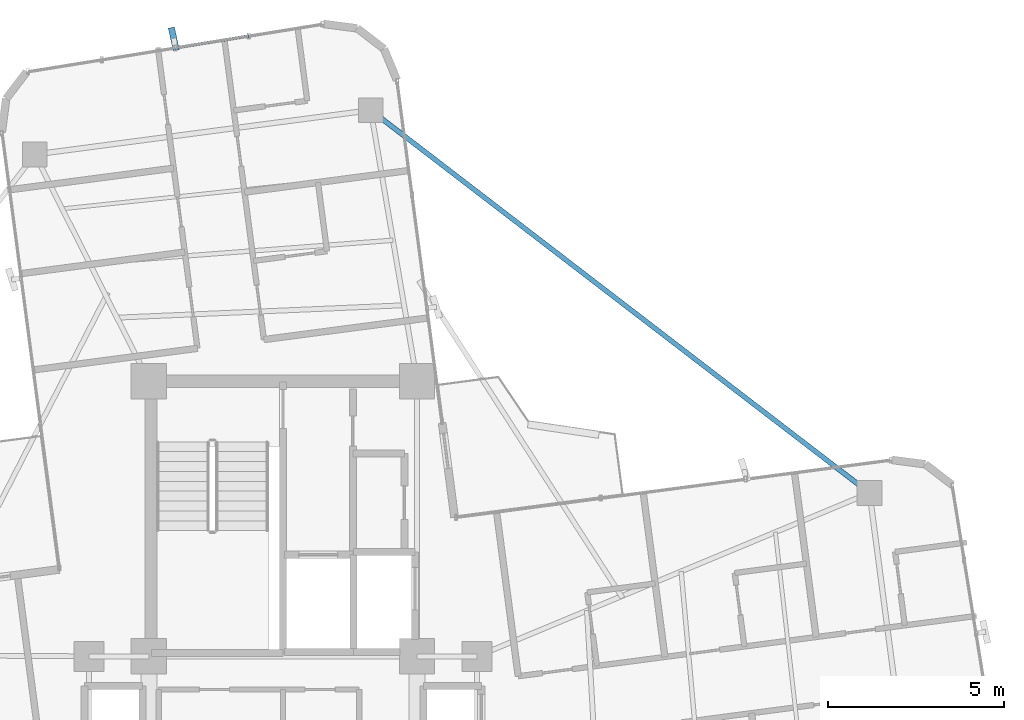
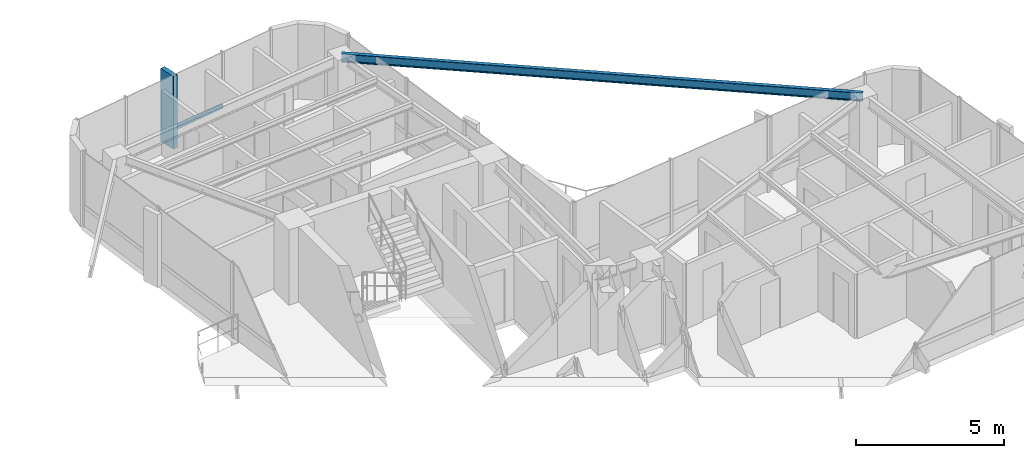
# One storey, part 14 of 22: 2 members, 1 beam, 1 element without a shape of its own.
"""IFC4 building model written with IfcOpenShell, lengths in metres."""

from ifc_helpers import new_model, si_unit, direction, frame, origin, origin_2d, place, context, subcontext, project, spatial, rectangle, hollow_rectangle, i_section, extrude, source, transform, mapped, material, material_profile, profile_set, type_object, element, aggregate, save


model = new_model("IFC4")

# Units and contexts
model_context = context("Model", 3, precision=1e-05, world=origin(), true_north=direction((0.0, 1.0)))
body_context = subcontext(model_context, "Body", "Model", "MODEL_VIEW")
ifc_project = project(units=[si_unit("LENGTHUNIT", "METRE"), si_unit("AREAUNIT", "SQUARE_METRE"), si_unit("VOLUMEUNIT", "CUBIC_METRE"), si_unit("PLANEANGLEUNIT", "RADIAN"), si_unit("MASSUNIT", "GRAM", prefix="KILO")], contexts=[model_context])

# Site, building, storey
site_placement = place(None, origin())
site = spatial("IfcSite", under=ifc_project, at=site_placement, CompositionType="ELEMENT")
building_placement = place(site_placement, origin())
building = spatial("IfcBuilding", under=site, at=building_placement, Name="Sahyath Konkavel Grand Hotel", CompositionType="ELEMENT")
storey_placement = place(building_placement, frame((0.0, 0.0, 206.5)))
storey = spatial("IfcBuildingStorey", under=building, at=storey_placement, Name="L57", CompositionType="ELEMENT", Elevation=206.5)

# Beam
ifc_material_1 = material(Name="Steel E350", Category="steel")
ifc_material_profile_1 = material_profile(ifc_material_1, i_section(OverallWidth=0.139892578125, OverallDepth=0.35009765625, WebThickness=0.008056640625, FlangeThickness=0.01416015625, FilletRadius=0.013916015625, at=origin_2d()), Name="ISMB 350")
ifc_profile_set_1 = profile_set([ifc_material_profile_1], Name="Steel E350")
beam_type = type_object("IfcBeamType", Name="BM-ISMB350", PredefinedType="BEAM", material=ifc_profile_set_1)
shared_shape_1 = source(origin(), body_context, "Body", "SweptSolid", [
    extrude(i_section(OverallWidth=0.139892578125, OverallDepth=0.35009765625, WebThickness=0.008056640625, FlangeThickness=0.01416015625, FilletRadius=0.013916015625, at=origin_2d()), origin(), (0.0, 0.0, 1.0), 17.819091796875),
])
beam_placement = place(storey_placement, frame((16.62451171875, 7.030029296875, 2.93505859375), z_axis=(-0.793348720932, 0.608767449027, 0.0), x_axis=(-0.608767449027, -0.793348720932, 0.0)))
element("IfcBeam", 1, at=beam_placement, inside=storey, type_object=beam_type, Name="L57 Re-Entrant Tie Beam NE", PredefinedType="BEAM", context=body_context, shape_type="MappedRepresentation", body=[
    mapped(shared_shape_1, transform((0.0, 0.0, 0.0), scale=1.0)),
])

# Curtain wall, members
ifc_material_2 = material(Name="Anodised Bronze Aluminium & Low-E Glazing", Category="aluminium")
curtain_wall_type = type_object("IfcCurtainWallType", Name="CW-ZONE4", PredefinedType="NOTDEFINED", material=ifc_material_2)
curtain_wall_placement = place(storey_placement, origin())
curtain_wall = element("IfcCurtainWall", 2, at=curtain_wall_placement, inside=storey, type_object=curtain_wall_type, Name="L57 Unitised Curtain Wall F12", PredefinedType="NOTDEFINED")
ifc_material_3 = material(Name="Warm Buff Sandstone Cladding on Concrete C50/60", Category="masonry")
ifc_material_profile_2 = material_profile(ifc_material_3, rectangle(XDim=0.179931640625, YDim=0.64990234375, at=origin_2d()), Name="FIN 180x650")
ifc_profile_set_2 = profile_set([ifc_material_profile_2], Name="Warm Buff Sandstone Cladding on Concrete C50/60")
member_type_1 = type_object("IfcMemberType", Name="FIN-SANDSTONE-650", PredefinedType="MULLION", material=ifc_profile_set_2)
shared_shape_2 = source(origin(), body_context, "Body", "SweptSolid", [
    extrude(rectangle(XDim=0.179931640625, YDim=0.64990234375, at=origin_2d()), origin(), (0.0, 0.0, 1.0), 3.010009765625),
])
member_1_placement = place(storey_placement, frame((-3.09423828125, 19.90234375, 0.050048828125), z_axis=(0.0, 0.0, 1.0), x_axis=(0.976971153279, 0.213371426534, 0.0)))
member_1 = element("IfcMember", 3, at=member_1_placement, type_object=member_type_1, Name="L57 Sandstone Vertical Solar Fin FIN F12-2", PredefinedType="MULLION", context=body_context, shape_type="MappedRepresentation", body=[
    mapped(shared_shape_2, transform((0.0, 0.0, 0.0), scale=1.0)),
])
ifc_material_4 = material(Name="Anodised Bronze Aluminium", Category="aluminium")
ifc_material_profile_3 = material_profile(ifc_material_4, hollow_rectangle(XDim=0.080078125, YDim=0.159912109375, WallThickness=0.006103515625, at=origin_2d()), Name="RHS 160x80x6")
ifc_profile_set_3 = profile_set([ifc_material_profile_3], Name="Anodised Bronze Aluminium")
member_type_2 = type_object("IfcMemberType", Name="CW-TRN-160", PredefinedType="USERDEFINED", material=ifc_profile_set_3)
shared_shape_3 = source(origin(), body_context, "Body", "SweptSolid", [
    extrude(hollow_rectangle(XDim=0.080078125, YDim=0.159912109375, WallThickness=0.006103515625, at=origin_2d()), origin(), (0.0, 0.0, 1.0), 2.112060546875),
])
member_2_placement = place(storey_placement, frame((-0.9677734375, 19.982177734375, 0.85009765625), z_axis=(-0.98721238085, -0.159410523793, 0.0), x_axis=(0.159410523793, -0.98721238085, 0.0)))
member_2 = element("IfcMember", 4, at=member_2_placement, type_object=member_type_2, Name="L57 Curtain Wall Transom F12-1-spandrel", ObjectType="TRANSOM", PredefinedType="USERDEFINED", context=body_context, shape_type="MappedRepresentation", body=[
    mapped(shared_shape_3, transform((0.0, 0.0, 0.0), scale=1.0)),
])
aggregate(curtain_wall, [member_1, member_2])

save(model, "model.ifc")
